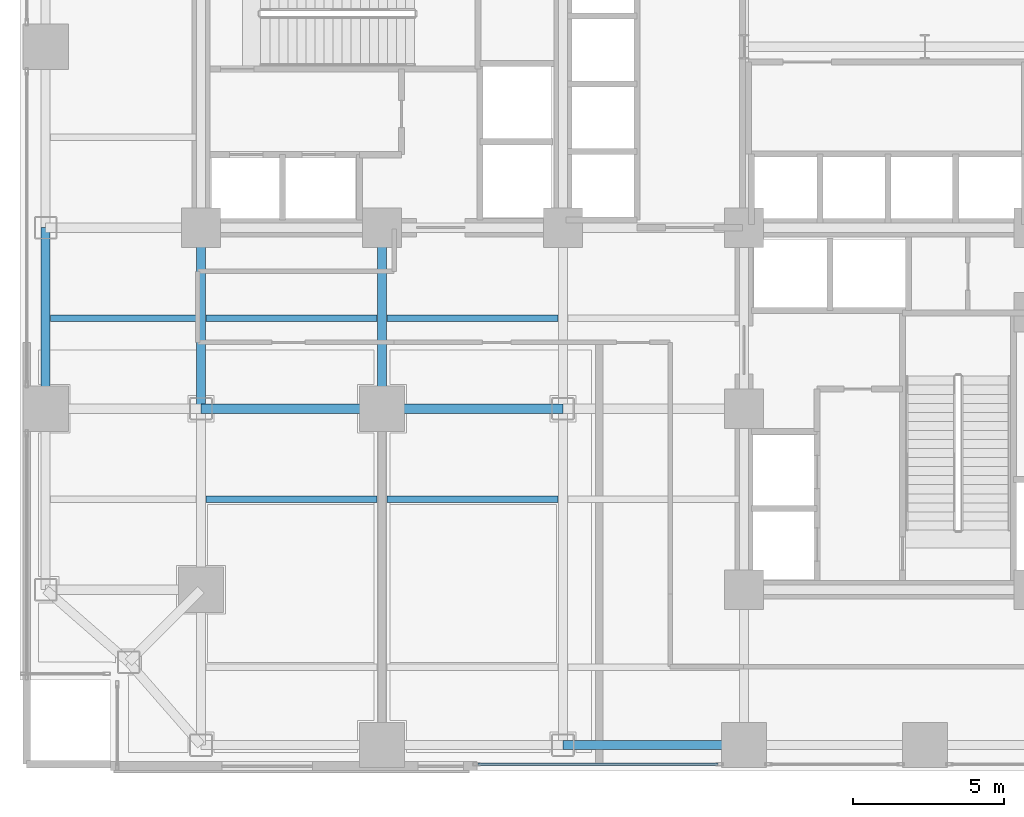
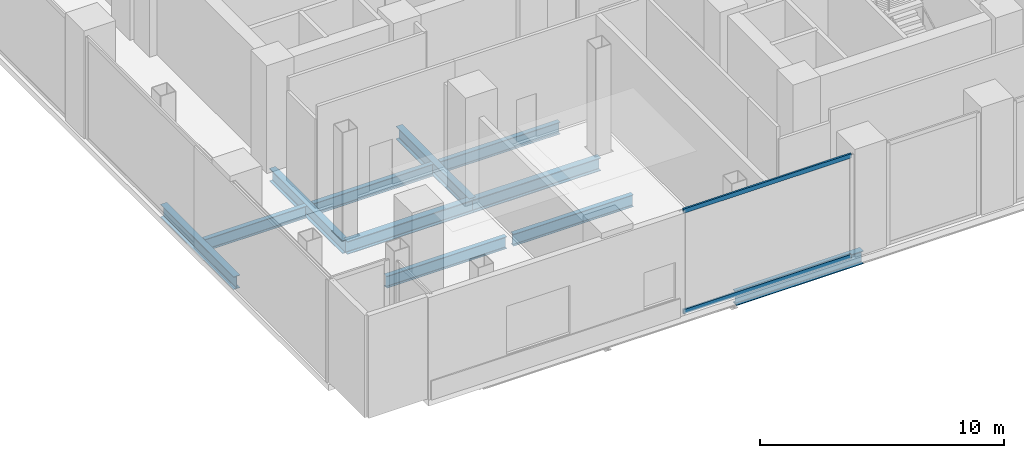
# One storey, part 4 of 27: 11 beams, 2 members, 1 element without a shape of its own.
"""IFC4 building model written with IfcOpenShell, lengths in metres."""

from ifc_helpers import new_model, si_unit, direction, frame, origin, origin_2d, place, context, subcontext, project, spatial, hollow_rectangle, i_section, extrude, material, layer, layer_set, material_profile, profile_set, type_object, element, aggregate, save


model = new_model("IFC4")

# Units and contexts
model_context = context("Model", 3, precision=1e-05, world=origin(), true_north=direction((0.0, 1.0)))
body_context = subcontext(model_context, "Body", "Model", "MODEL_VIEW")
ifc_project = project(units=[si_unit("LENGTHUNIT", "METRE"), si_unit("AREAUNIT", "SQUARE_METRE"), si_unit("VOLUMEUNIT", "CUBIC_METRE"), si_unit("PLANEANGLEUNIT", "RADIAN"), si_unit("MASSUNIT", "GRAM", prefix="KILO"), si_unit("THERMODYNAMICTEMPERATUREUNIT", "KELVIN"), si_unit("POWERUNIT", "WATT")], contexts=[model_context])

# Site, building, storey
site_placement = place(None, origin())
site = spatial("IfcSite", under=ifc_project, at=site_placement, CompositionType="ELEMENT")
building_placement = place(site_placement, origin())
building = spatial("IfcBuilding", under=site, at=building_placement, Name="Svarakhadi Broadcast Tower", CompositionType="ELEMENT")
storey_placement = place(building_placement, frame((0.0, 0.0, 5.699951171875)))
storey = spatial("IfcBuildingStorey", under=building, at=storey_placement, Name="L01", CompositionType="ELEMENT", Elevation=5.699951171875)

# Beams
ifc_material_1 = material(Name="Steel S355J2 (IS 2062 E350C)", Category="steel")
ifc_material_profile_1 = material_profile(ifc_material_1, i_section(OverallWidth=0.219970703125, OverallDepth=0.60009765625, WebThickness=0.011962890625, FlangeThickness=0.01904296875, FilletRadius=0.02392578125, at=origin_2d()), Name="NPB 600x220x122")
ifc_profile_set_1 = profile_set([ifc_material_profile_1], Name="Steel S355J2 (IS 2062 E350C)")
beam_type_1 = type_object("IfcBeamType", Name="Beam_NPB600", PredefinedType="BEAM", material=ifc_profile_set_1)
beam_placement = place(storey_placement, frame((1.010009765625, 15.0, -0.599853515625), z_axis=(1.0, 0.0, 0.0), x_axis=(0.0, 1.0, 0.0)))
element("IfcBeam", 1, at=beam_placement, inside=storey, type_object=beam_type_1, Name="L01 Secondary Composite Beam SB002", PredefinedType="BEAM", context=body_context, shape_type="SweptSolid", body=[
    extrude(i_section(OverallWidth=0.219970703125, OverallDepth=0.60009765625, WebThickness=0.011962890625, FlangeThickness=0.01904296875, FilletRadius=0.02392578125, at=origin_2d()), origin(), (0.0, 0.0, 1.0), 4.830078125),
])
for number, where, z_axis, x_axis, name in (
    (2, (6.159912109375, 9.0, -0.599853515625), (1.0, 0.0, 0.0), (0.0, 1.0, 0.0), "L01 Secondary Composite Beam SB008"),
    (3, (6.159912109375, 15.0, -0.599853515625), (1.0, 0.0, 0.0), (0.0, 1.0, 0.0), "L01 Secondary Composite Beam SB009"),
    (4, (12.159912109375, 9.0, -0.599853515625), (1.0, 0.0, 0.0), (0.0, 1.0, 0.0), "L01 Secondary Composite Beam SB011"),
    (5, (12.159912109375, 15.0, -0.599853515625), (1.0, 0.0, 0.0), (0.0, 1.0, 0.0), "L01 Secondary Composite Beam SB012"),
):
    element("IfcBeam", number, at=place(storey_placement, frame(where, z_axis=z_axis, x_axis=x_axis)), inside=storey, type_object=beam_type_1, Name=name, PredefinedType="BEAM", context=body_context, shape_type="SweptSolid", body=[
        extrude(i_section(OverallWidth=0.219970703125, OverallDepth=0.60009765625, WebThickness=0.011962890625, FlangeThickness=0.01904296875, FilletRadius=0.02392578125, at=origin_2d()), origin(), (0.0, 0.0, 1.0), 5.68017578125),
    ])

# Curtain wall, members
ifc_material_2 = material(Name="Anodised Bronze Aluminium AA 6063-T6", Category="aluminium")
ifc_layer = layer(ifc_material_2, 0.25)
ifc_layer_set = layer_set([ifc_layer], Name="Anodised Bronze Aluminium AA 6063-T6")
curtain_wall_type = type_object("IfcCurtainWallType", Name="CW_Sys_01", PredefinedType="NOTDEFINED", material=ifc_layer_set)
curtain_wall_placement = place(storey_placement, origin())
curtain_wall = element("IfcCurtainWall", 6, at=curtain_wall_placement, inside=storey, type_object=curtain_wall_type, Name="L01 South Curtain Wall 11 Bay 5", PredefinedType="NOTDEFINED")
ifc_material_profile_2 = material_profile(ifc_material_2, hollow_rectangle(XDim=0.0849609375, YDim=0.219970703125, WallThickness=0.0048828125, at=origin_2d()), Name="ALU TRANSOM 220x85x5")
ifc_profile_set_2 = profile_set([ifc_material_profile_2], Name="Anodised Bronze Aluminium AA 6063-T6")
member_type = type_object("IfcMemberType", Name="CW_Sys_01_Trn", PredefinedType="USERDEFINED", material=ifc_profile_set_2)
member_1_placement = place(storey_placement, frame((23.135009765625, 0.219970703125, 0.04248046875), z_axis=(-1.0, 0.0, 0.0), x_axis=(0.0, -1.0, 0.0)))
member_1 = element("IfcMember", 7, at=member_1_placement, type_object=member_type, Name="CW-01 transom 1.1", ObjectType="TRANSOM", PredefinedType="USERDEFINED", context=body_context, shape_type="SweptSolid", body=[
    extrude(hollow_rectangle(XDim=0.0849609375, YDim=0.219970703125, WallThickness=0.0048828125, at=origin_2d()), origin(), (0.0, 0.0, 1.0), 7.949951171875),
])
member_2_placement = place(storey_placement, frame((23.135009765625, 0.219970703125, 5.08251953125), z_axis=(-1.0, 0.0, 0.0), x_axis=(0.0, -1.0, 0.0)))
member_2 = element("IfcMember", 8, at=member_2_placement, type_object=member_type, Name="CW-01 transom 1.2", ObjectType="TRANSOM", PredefinedType="USERDEFINED", context=body_context, shape_type="SweptSolid", body=[
    extrude(hollow_rectangle(XDim=0.0849609375, YDim=0.219970703125, WallThickness=0.0048828125, at=origin_2d()), origin(), (0.0, 0.0, 1.0), 7.949951171875),
])
aggregate(curtain_wall, [member_1, member_2])

# Beams
ifc_material_profile_3 = material_profile(ifc_material_1, i_section(OverallWidth=0.300048828125, OverallDepth=0.64990234375, WebThickness=0.01611328125, FlangeThickness=0.031005859375, FilletRadius=0.027099609375, at=origin_2d()), Name="WPB 650x300x225")
ifc_profile_set_3 = profile_set([ifc_material_profile_3], Name="Steel S355J2 (IS 2062 E350C)")
beam_type_2 = type_object("IfcBeamType", Name="Girder_WPB650", PredefinedType="USERDEFINED", material=ifc_profile_set_3)
for number, where, z_axis, x_axis, name in (
    (9, (18.0, 0.85009765625, -0.625), (1.0, 0.0, 0.0), (0.0, 1.0, 0.0), "L01 Primary E-W Girder G006"),
    (10, (6.0, 12.0, -0.625), (1.0, 0.0, 0.0), (0.0, 1.0, 0.0), "L01 Primary E-W Girder G015"),
    (11, (12.0, 12.0, -0.625), (1.0, 0.0, 0.0), (0.0, 1.0, 0.0), "L01 Primary E-W Girder G016"),
    (12, (0.85009765625, 12.0, -0.625), (0.0, 1.0, 0.0), (-1.0, 0.0, 0.0), "L01 Primary N-S Girder G045"),
    (13, (6.0, 12.0, -0.625), (0.0, 1.0, 0.0), (-1.0, 0.0, 0.0), "L01 Primary N-S Girder G052"),
    (14, (12.0, 12.0, -0.625), (0.0, 1.0, 0.0), (-1.0, 0.0, 0.0), "L01 Primary N-S Girder G058"),
):
    element("IfcBeam", number, at=place(storey_placement, frame(where, z_axis=z_axis, x_axis=x_axis)), inside=storey, type_object=beam_type_2, Name=name, ObjectType="GIRDER", PredefinedType="USERDEFINED", context=body_context, shape_type="SweptSolid", body=[
        extrude(i_section(OverallWidth=0.300048828125, OverallDepth=0.64990234375, WebThickness=0.01611328125, FlangeThickness=0.031005859375, FilletRadius=0.027099609375, at=origin_2d()), origin(), (0.0, 0.0, 1.0), 6.0),
    ])

save(model, "model.ifc")
